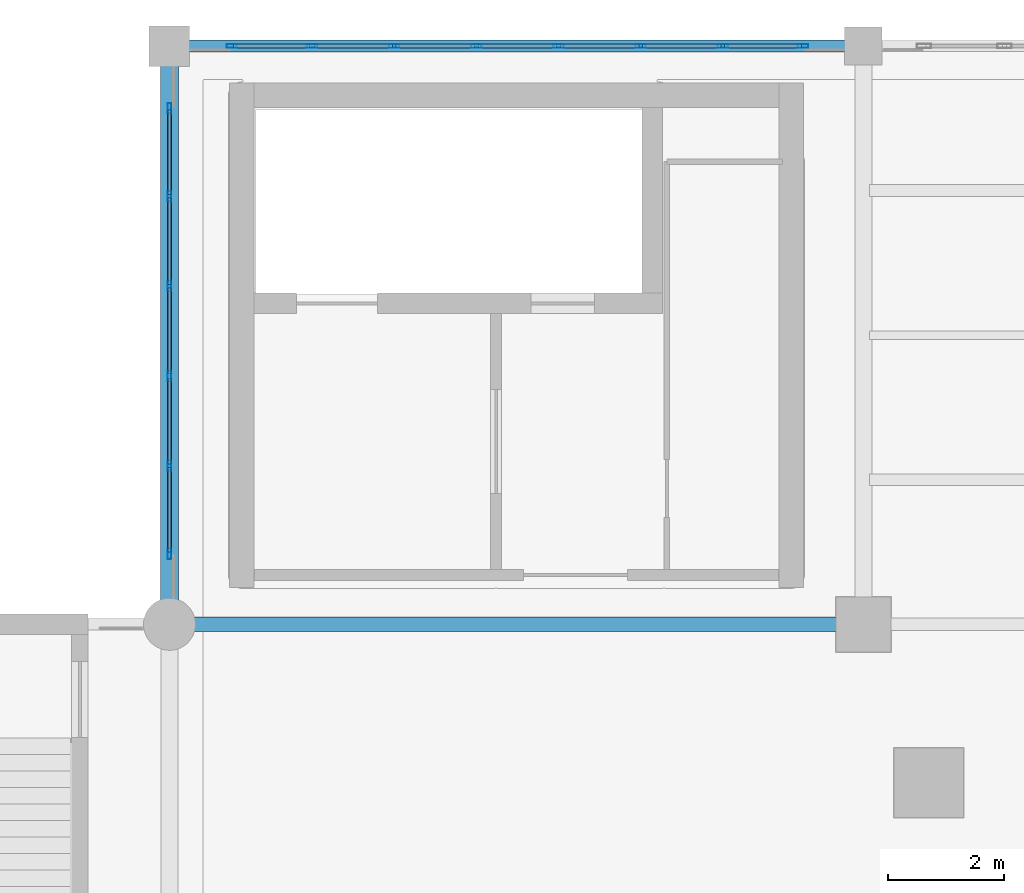
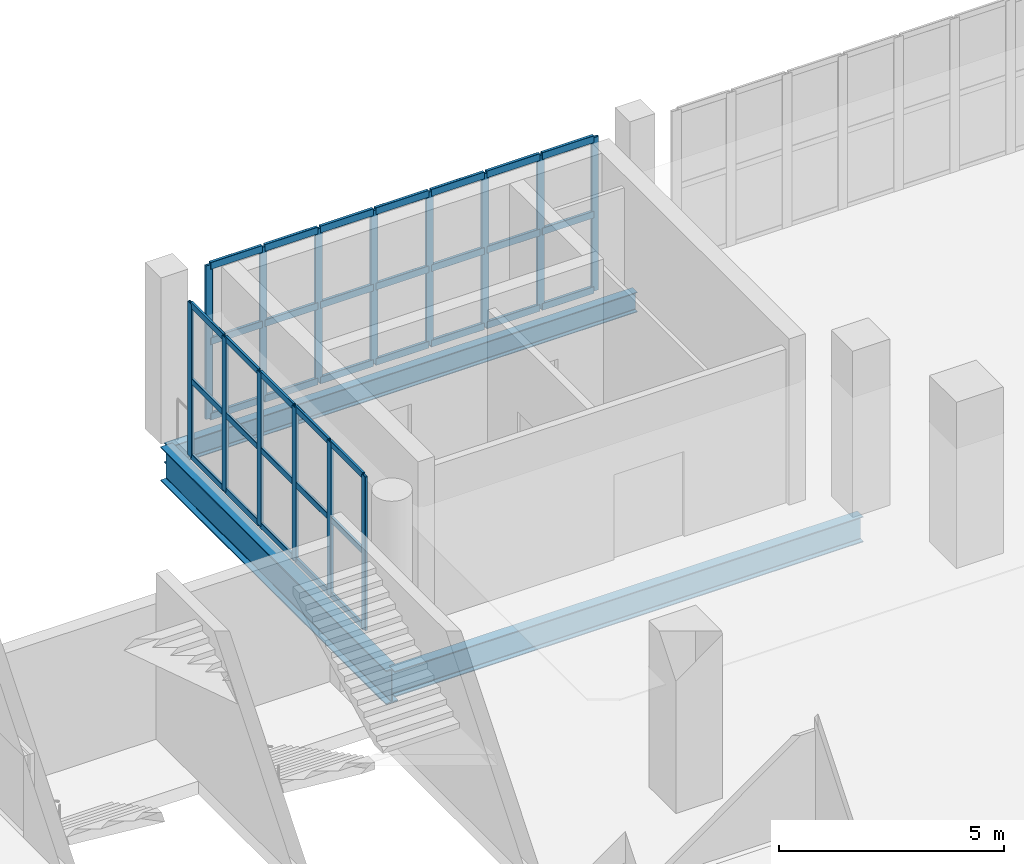
# One storey, part 28 of 90: 50 members, 3 beams, 2 elements without a shape of their own.
"""IFC4 building model written with IfcOpenShell, lengths in metres."""

import ifcopenshell
import ifcopenshell.guid

model = None  # the IFC model being written
_history = None  # IfcOwnerHistory: only IFC2X3 demands one
_inside = {}  # id of a spatial element -> (the spatial element, [elements in it])
_under = {}  # id of a project, library or spatial element -> (it, [spatial elements below it])
_declared = {}  # id of a project -> (the project, [libraries it declares])
_typed = {}  # id of a type object -> (the type object, [elements of that type])
_made_of = {}  # id of a material, layer set ... -> (it, [elements and type objects made of it])


def new_model(schema):
    """Start an empty IFC model of exactly this schema.

    Asked for "IFC4X3", IfcOpenShell would pick the latest addendum, in which some entities
    have other attributes; the version numbers below select the first issue.
    IFC2X3 requires an IfcOwnerHistory on every rooted entity: one is made here for all.
    """
    global model, _history
    if schema == "IFC4X3":
        model = ifcopenshell.file(schema_version=(4, 3, 0, 0))
    else:
        model = ifcopenshell.file(schema=schema)
    _inside.clear()
    _under.clear()
    _declared.clear()
    _typed.clear()
    _made_of.clear()
    _history = None
    if model.schema == "IFC2X3":
        org = make("IfcOrganization", Name="unknown")
        user = make(
            "IfcPersonAndOrganization",
            ThePerson=make("IfcPerson", FamilyName="unknown"),
            TheOrganization=org,
        )
        app = make(
            "IfcApplication",
            ApplicationDeveloper=org,
            Version="unknown",
            ApplicationFullName="unknown",
            ApplicationIdentifier="unknown",
        )
        _history = make(
            "IfcOwnerHistory",
            OwningUser=user,
            OwningApplication=app,
            ChangeAction="ADDED",
            CreationDate=0,
        )
    return model


def make(cls, **values):
    """One entity of the class cls with the attributes given. An attribute that is None is left unset."""
    return model.create_entity(
        cls, **{name: value for name, value in values.items() if value is not None}
    )


def rooted(cls, **values):
    """An entity with a GlobalId (a new one), such as an element, a storey or a relation."""
    return make(cls, GlobalId=ifcopenshell.guid.new(), OwnerHistory=_history, **values)


def si_unit(unit_type, name, prefix=None):
    """IfcSIUnit, for example si_unit("LENGTHUNIT", "METRE", prefix="MILLI")."""
    return make("IfcSIUnit", UnitType=unit_type, Prefix=prefix, Name=name)


def assignment(units):
    """IfcUnitAssignment: the units of a project."""
    return None if units is None else make("IfcUnitAssignment", Units=units)


def point(xyz):
    """IfcCartesianPoint."""
    return None if xyz is None else make("IfcCartesianPoint", Coordinates=xyz)


def direction(xyz):
    """IfcDirection."""
    return None if xyz is None else make("IfcDirection", DirectionRatios=xyz)


def frame(location, z_axis=None, x_axis=None):
    """IfcAxis2Placement3D, a coordinate frame: its origin and axes. An axis left out is left unset."""
    return make(
        "IfcAxis2Placement3D",
        Location=point(location),
        Axis=direction(z_axis),
        RefDirection=direction(x_axis),
    )


def frame_2d(location, x_axis=None):
    """IfcAxis2Placement2D, a coordinate frame in the plane: its origin and x axis."""
    return make(
        "IfcAxis2Placement2D", Location=point(location), RefDirection=direction(x_axis)
    )


def origin():
    """The frame at (0, 0, 0) with its axes left unset."""
    return frame((0.0, 0.0, 0.0))


def origin_2d():
    """The frame at (0, 0) in the plane with its x axis left unset."""
    return frame_2d((0.0, 0.0))


def place(relative_to, where):
    """IfcLocalPlacement: puts the frame where relative to a parent placement (None: the world)."""
    return make(
        "IfcLocalPlacement", PlacementRelTo=relative_to, RelativePlacement=where
    )


def context(
    kind, dimensions, precision=None, world=None, true_north=None, identifier=None
):
    """IfcGeometricRepresentationContext, for example the 3D "Model" context."""
    return make(
        "IfcGeometricRepresentationContext",
        ContextIdentifier=identifier,
        ContextType=kind,
        CoordinateSpaceDimension=dimensions,
        Precision=precision,
        WorldCoordinateSystem=world,
        TrueNorth=true_north,
    )


def subcontext(parent, identifier, kind, view, scale=None):
    """IfcGeometricRepresentationSubContext, for example "Body" below "Model"."""
    return make(
        "IfcGeometricRepresentationSubContext",
        ContextIdentifier=identifier,
        ContextType=kind,
        ParentContext=parent,
        TargetScale=scale,
        TargetView=view,
    )


def project(units=None, contexts=None):
    """IfcProject with its units and contexts."""
    return rooted(
        "IfcProject",
        Name="project",
        RepresentationContexts=contexts,
        UnitsInContext=assignment(units),
    )


def spatial(cls, under=None, at=None, **own):
    """A site, building, storey or space (cls), placed at a placement, below another one or the project."""
    s = rooted(cls, ObjectPlacement=at, **own)
    if under is not None:
        _under.setdefault(under.id(), (under, []))[1].append(s)
    return s


def profile(cls, at=None, kind="AREA", **sizes):
    """A parametric profile (cls). Its sizes go by their IFC names, for example OverallWidth=200.0."""
    return make(cls, ProfileType=kind, Position=at, **sizes)


def hollow_rectangle(**sizes):
    """IfcRectangleHollowProfileDef."""
    return profile("IfcRectangleHollowProfileDef", **sizes)


def i_section(**sizes):
    """IfcIShapeProfileDef."""
    return profile("IfcIShapeProfileDef", **sizes)


def extrude(swept, where, along, depth):
    """IfcExtrudedAreaSolid: the profile swept, set in the frame where, extruded along a direction by depth."""
    return make(
        "IfcExtrudedAreaSolid",
        SweptArea=swept,
        Position=where,
        ExtrudedDirection=direction(along),
        Depth=depth,
    )


def shape(context_of_items, identifier, shape_type, items):
    """IfcShapeRepresentation: the items that make up one representation, for example the "Body"."""
    return make(
        "IfcShapeRepresentation",
        ContextOfItems=context_of_items,
        RepresentationIdentifier=identifier,
        RepresentationType=shape_type,
        Items=items,
    )


def material(Name=None, Category=None):
    """IfcMaterial."""
    return make("IfcMaterial", Name=Name, Category=Category)


def layer(
    of_material, thickness, ventilated=None, Name=None, Category=None, Priority=None
):
    """IfcMaterialLayer: one layer of a wall or slab, of a material (None: an air gap)."""
    return make(
        "IfcMaterialLayer",
        Material=of_material,
        LayerThickness=thickness,
        IsVentilated=ventilated,
        Name=Name,
        Category=Category,
        Priority=Priority,
    )


def layer_set(layers, Name=None):
    """IfcMaterialLayerSet."""
    return make("IfcMaterialLayerSet", MaterialLayers=layers, LayerSetName=Name)


def material_profile(
    of_material, cross_section, Name=None, Category=None, Priority=None
):
    """IfcMaterialProfile: a cross section and its material."""
    return make(
        "IfcMaterialProfile",
        Name=Name,
        Material=of_material,
        Profile=cross_section,
        Priority=Priority,
        Category=Category,
    )


def profile_set(profiles, Name=None, composite=None):
    """IfcMaterialProfileSet."""
    return make(
        "IfcMaterialProfileSet",
        Name=Name,
        MaterialProfiles=profiles,
        CompositeProfile=composite,
    )


def made_of(thing, what):
    """Note that an element or type object is made of a material, layer set ...; save() writes the relation."""
    if what is not None:
        _made_of.setdefault(what.id(), (what, []))[1].append(thing)
    return thing


def type_object(cls, material=None, **own):
    """A type object (cls), such as IfcWallType, which elements share."""
    return made_of(rooted(cls, **own), material)


def element(
    cls,
    number,
    at=None,
    inside=None,
    cuts=None,
    type_object=None,
    material=None,
    context=None,
    identifier="Body",
    shape_type=None,
    held_by="IfcProductDefinitionShape",
    body=None,
    shapes=None,
    **own,
):
    """One element of the class cls, such as IfcWall. Its Tag is "e" and its number.

    at: its placement. inside: the storey or other place that contains it. cuts: it is an
    opening in that element (IfcRelVoidsElement). A single representation is given by context,
    identifier, shape_type and body (its items); several are given by shapes. held_by: the class
    of the entity that holds the representations. save() writes the other relations.
    """
    e = rooted(cls, Tag="e%d" % number, ObjectPlacement=at, **own)
    if body is not None:
        shapes = [shape(context, identifier, shape_type, body)]
    if shapes is not None:
        e.Representation = make(held_by, Representations=shapes)
    if inside is not None:
        _inside.setdefault(inside.id(), (inside, []))[1].append(e)
    if cuts is not None:
        rooted(
            "IfcRelVoidsElement", RelatingBuildingElement=cuts, RelatedOpeningElement=e
        )
    if type_object is not None:
        _typed.setdefault(type_object.id(), (type_object, []))[1].append(e)
    return made_of(e, material)


def aggregate(whole, parts):
    """IfcRelAggregates: a whole, such as a stair, and the parts it consists of."""
    return rooted("IfcRelAggregates", RelatingObject=whole, RelatedObjects=parts)


def save(model, path):
    """Write the relations noted so far, then the file.

    IfcRelAggregates (storeys below a building ...), IfcRelContainedInSpatialStructure (elements
    in a storey), IfcRelDefinesByType, IfcRelAssociatesMaterial and IfcRelDeclares: one each for
    every whole, place, type object, material and project.
    """
    for whole, parts in _under.values():
        aggregate(whole, parts)
    for where, things in _inside.values():
        rooted(
            "IfcRelContainedInSpatialStructure",
            RelatedElements=things,
            RelatingStructure=where,
        )
    for kind, things in _typed.values():
        rooted("IfcRelDefinesByType", RelatedObjects=things, RelatingType=kind)
    for what, things in _made_of.values():
        rooted("IfcRelAssociatesMaterial", RelatedObjects=things, RelatingMaterial=what)
    for by, libraries in _declared.values():
        rooted("IfcRelDeclares", RelatingContext=by, RelatedDefinitions=libraries)
    model.write(path)


model = new_model("IFC4")

# Units and contexts
model_context = context("Model", 3, precision=1e-05, world=origin(), true_north=direction((0.0, 1.0)))
body_context = subcontext(model_context, "Body", "Model", "MODEL_VIEW")
ifc_project = project(units=[si_unit("LENGTHUNIT", "METRE"), si_unit("AREAUNIT", "SQUARE_METRE"), si_unit("VOLUMEUNIT", "CUBIC_METRE"), si_unit("PLANEANGLEUNIT", "RADIAN"), si_unit("MASSUNIT", "GRAM", prefix="KILO")], contexts=[model_context])

# Site, building, storey
site_placement = place(None, origin())
site = spatial("IfcSite", under=ifc_project, at=site_placement, CompositionType="ELEMENT")
building_placement = place(site_placement, origin())
building = spatial("IfcBuilding", under=site, at=building_placement, Name="Brinegate Civic Arena", CompositionType="ELEMENT")
storey_placement = place(building_placement, frame((0.0, 0.0, 14.699951171875)))
storey = spatial("IfcBuildingStorey", under=building, at=storey_placement, Name="L03", CompositionType="ELEMENT", Elevation=14.699951171875)

# Curtain wall, members
ifc_material_1 = material(Name="Marine grade aluminium", Category="aluminium")
ifc_layer = layer(ifc_material_1, 0.235107421875, Name="Marine grade aluminium")
ifc_layer_set = layer_set([ifc_layer], Name="Marine grade aluminium")
curtain_wall_type = type_object("IfcCurtainWallType", Name="CW-PORTAL-NORTH-01", PredefinedType="USERDEFINED", material=ifc_layer_set)
curtain_wall_1_placement = place(storey_placement, origin())
curtain_wall_1 = element("IfcCurtainWall", 1, at=curtain_wall_1_placement, inside=storey, type_object=curtain_wall_type, Name="Curtain Wall CWA-124", ObjectType="PORTAL CURTAIN WALL", PredefinedType="USERDEFINED")
ifc_material_profile_1 = material_profile(ifc_material_1, hollow_rectangle(XDim=0.06494140625, YDim=0.179931640625, WallThickness=0.0048828125, InnerFilletRadius=0.00390625, OuterFilletRadius=0.008056640625, at=origin_2d()), Name="MUL65X180")
ifc_profile_set_1 = profile_set([ifc_material_profile_1], Name="Marine grade aluminium")
member_type_1 = type_object("IfcMemberType", Name="CW-MULLION-65X180", PredefinedType="MULLION", material=ifc_profile_set_1)
member_1_placement = place(storey_placement, frame((85.077392578125, 124.0, 0.0), z_axis=(0.0, 0.0, 1.0), x_axis=(0.0, 1.0, 0.0)))
member_1 = element("IfcMember", 2, at=member_1_placement, type_object=member_type_1, Name="CWA-124 mullion 1", PredefinedType="MULLION", context=body_context, shape_type="SweptSolid", body=[
    extrude(hollow_rectangle(XDim=0.06494140625, YDim=0.179931640625, WallThickness=0.0048828125, InnerFilletRadius=0.00390625, OuterFilletRadius=0.008056640625, at=origin_2d()), origin(), (0.0, 0.0, 1.0), 4.16015625),
])
member_2_placement = place(storey_placement, frame((86.4658203125, 124.0, 0.0), z_axis=(0.0, 0.0, 1.0), x_axis=(0.0, 1.0, 0.0)))
member_2 = element("IfcMember", 3, at=member_2_placement, type_object=member_type_1, Name="CWA-124 mullion 2", PredefinedType="MULLION", context=body_context, shape_type="SweptSolid", body=[
    extrude(hollow_rectangle(XDim=0.06494140625, YDim=0.179931640625, WallThickness=0.0048828125, InnerFilletRadius=0.00390625, OuterFilletRadius=0.008056640625, at=origin_2d()), origin(), (0.0, 0.0, 1.0), 4.16015625),
])
member_3_placement = place(storey_placement, frame((87.886474609375, 124.0, 0.0), z_axis=(0.0, 0.0, 1.0), x_axis=(0.0, 1.0, 0.0)))
member_3 = element("IfcMember", 4, at=member_3_placement, type_object=member_type_1, Name="CWA-124 mullion 3", PredefinedType="MULLION", context=body_context, shape_type="SweptSolid", body=[
    extrude(hollow_rectangle(XDim=0.06494140625, YDim=0.179931640625, WallThickness=0.0048828125, InnerFilletRadius=0.00390625, OuterFilletRadius=0.008056640625, at=origin_2d()), origin(), (0.0, 0.0, 1.0), 4.16015625),
])
member_4_placement = place(storey_placement, frame((89.30712890625, 124.0, 0.0), z_axis=(0.0, 0.0, 1.0), x_axis=(0.0, 1.0, 0.0)))
member_4 = element("IfcMember", 5, at=member_4_placement, type_object=member_type_1, Name="CWA-124 mullion 4", PredefinedType="MULLION", context=body_context, shape_type="SweptSolid", body=[
    extrude(hollow_rectangle(XDim=0.06494140625, YDim=0.179931640625, WallThickness=0.0048828125, InnerFilletRadius=0.00390625, OuterFilletRadius=0.008056640625, at=origin_2d()), origin(), (0.0, 0.0, 1.0), 4.16015625),
])
member_5_placement = place(storey_placement, frame((90.727783203125, 124.0, 0.0), z_axis=(0.0, 0.0, 1.0), x_axis=(0.0, 1.0, 0.0)))
member_5 = element("IfcMember", 6, at=member_5_placement, type_object=member_type_1, Name="CWA-124 mullion 5", PredefinedType="MULLION", context=body_context, shape_type="SweptSolid", body=[
    extrude(hollow_rectangle(XDim=0.06494140625, YDim=0.179931640625, WallThickness=0.0048828125, InnerFilletRadius=0.00390625, OuterFilletRadius=0.008056640625, at=origin_2d()), origin(), (0.0, 0.0, 1.0), 4.16015625),
])
member_6_placement = place(storey_placement, frame((92.148681640625, 124.0, 0.0), z_axis=(0.0, 0.0, 1.0), x_axis=(0.0, 1.0, 0.0)))
member_6 = element("IfcMember", 7, at=member_6_placement, type_object=member_type_1, Name="CWA-124 mullion 6", PredefinedType="MULLION", context=body_context, shape_type="SweptSolid", body=[
    extrude(hollow_rectangle(XDim=0.06494140625, YDim=0.179931640625, WallThickness=0.0048828125, InnerFilletRadius=0.00390625, OuterFilletRadius=0.008056640625, at=origin_2d()), origin(), (0.0, 0.0, 1.0), 4.16015625),
])
member_7_placement = place(storey_placement, frame((93.5693359375, 124.0, 0.0), z_axis=(0.0, 0.0, 1.0), x_axis=(0.0, 1.0, 0.0)))
member_7 = element("IfcMember", 8, at=member_7_placement, type_object=member_type_1, Name="CWA-124 mullion 7", PredefinedType="MULLION", context=body_context, shape_type="SweptSolid", body=[
    extrude(hollow_rectangle(XDim=0.06494140625, YDim=0.179931640625, WallThickness=0.0048828125, InnerFilletRadius=0.00390625, OuterFilletRadius=0.008056640625, at=origin_2d()), origin(), (0.0, 0.0, 1.0), 4.16015625),
])
member_8_placement = place(storey_placement, frame((94.95751953125, 124.0, 0.0), z_axis=(0.0, 0.0, 1.0), x_axis=(0.0, 1.0, 0.0)))
member_8 = element("IfcMember", 9, at=member_8_placement, type_object=member_type_1, Name="CWA-124 mullion 8", PredefinedType="MULLION", context=body_context, shape_type="SweptSolid", body=[
    extrude(hollow_rectangle(XDim=0.06494140625, YDim=0.179931640625, WallThickness=0.0048828125, InnerFilletRadius=0.00390625, OuterFilletRadius=0.008056640625, at=origin_2d()), origin(), (0.0, 0.0, 1.0), 4.16015625),
])

curtain_wall_2_placement = place(storey_placement, origin())
curtain_wall_2 = element("IfcCurtainWall", 10, at=curtain_wall_2_placement, inside=storey, type_object=curtain_wall_type, Name="Curtain Wall CWA-128", ObjectType="PORTAL CURTAIN WALL", PredefinedType="USERDEFINED")
member_9_placement = place(storey_placement, frame((84.0, 115.218505859375, 0.0), z_axis=(0.0, 0.0, 1.0), x_axis=(-1.0, 0.0, 0.0)))
member_9 = element("IfcMember", 11, at=member_9_placement, type_object=member_type_1, Name="CWA-128 mullion 1", PredefinedType="MULLION", context=body_context, shape_type="SweptSolid", body=[
    extrude(hollow_rectangle(XDim=0.06494140625, YDim=0.179931640625, WallThickness=0.0048828125, InnerFilletRadius=0.00390625, OuterFilletRadius=0.008056640625, at=origin_2d()), origin(), (0.0, 0.0, 1.0), 4.16015625),
])
member_10_placement = place(storey_placement, frame((84.0, 116.73974609375, 0.0), z_axis=(0.0, 0.0, 1.0), x_axis=(-1.0, 0.0, 0.0)))
member_10 = element("IfcMember", 12, at=member_10_placement, type_object=member_type_1, Name="CWA-128 mullion 2", PredefinedType="MULLION", context=body_context, shape_type="SweptSolid", body=[
    extrude(hollow_rectangle(XDim=0.06494140625, YDim=0.179931640625, WallThickness=0.0048828125, InnerFilletRadius=0.00390625, OuterFilletRadius=0.008056640625, at=origin_2d()), origin(), (0.0, 0.0, 1.0), 4.16015625),
])
member_11_placement = place(storey_placement, frame((84.0, 118.293701171875, 0.0), z_axis=(0.0, 0.0, 1.0), x_axis=(-1.0, 0.0, 0.0)))
member_11 = element("IfcMember", 13, at=member_11_placement, type_object=member_type_1, Name="CWA-128 mullion 3", PredefinedType="MULLION", context=body_context, shape_type="SweptSolid", body=[
    extrude(hollow_rectangle(XDim=0.06494140625, YDim=0.179931640625, WallThickness=0.0048828125, InnerFilletRadius=0.00390625, OuterFilletRadius=0.008056640625, at=origin_2d()), origin(), (0.0, 0.0, 1.0), 4.16015625),
])
member_12_placement = place(storey_placement, frame((84.0, 119.847412109375, 0.0), z_axis=(0.0, 0.0, 1.0), x_axis=(-1.0, 0.0, 0.0)))
member_12 = element("IfcMember", 14, at=member_12_placement, type_object=member_type_1, Name="CWA-128 mullion 4", PredefinedType="MULLION", context=body_context, shape_type="SweptSolid", body=[
    extrude(hollow_rectangle(XDim=0.06494140625, YDim=0.179931640625, WallThickness=0.0048828125, InnerFilletRadius=0.00390625, OuterFilletRadius=0.008056640625, at=origin_2d()), origin(), (0.0, 0.0, 1.0), 4.16015625),
])
member_13_placement = place(storey_placement, frame((84.0, 121.401123046875, 0.0), z_axis=(0.0, 0.0, 1.0), x_axis=(-1.0, 0.0, 0.0)))
member_13 = element("IfcMember", 15, at=member_13_placement, type_object=member_type_1, Name="CWA-128 mullion 5", PredefinedType="MULLION", context=body_context, shape_type="SweptSolid", body=[
    extrude(hollow_rectangle(XDim=0.06494140625, YDim=0.179931640625, WallThickness=0.0048828125, InnerFilletRadius=0.00390625, OuterFilletRadius=0.008056640625, at=origin_2d()), origin(), (0.0, 0.0, 1.0), 4.16015625),
])
member_14_placement = place(storey_placement, frame((84.0, 122.922607421875, 0.0), z_axis=(0.0, 0.0, 1.0), x_axis=(-1.0, 0.0, 0.0)))
member_14 = element("IfcMember", 16, at=member_14_placement, type_object=member_type_1, Name="CWA-128 mullion 6", PredefinedType="MULLION", context=body_context, shape_type="SweptSolid", body=[
    extrude(hollow_rectangle(XDim=0.06494140625, YDim=0.179931640625, WallThickness=0.0048828125, InnerFilletRadius=0.00390625, OuterFilletRadius=0.008056640625, at=origin_2d()), origin(), (0.0, 0.0, 1.0), 4.16015625),
])
ifc_material_profile_2 = material_profile(ifc_material_1, hollow_rectangle(XDim=0.06494140625, YDim=0.1650390625, WallThickness=0.0048828125, InnerFilletRadius=0.00390625, OuterFilletRadius=0.008056640625, at=origin_2d()), Name="TRN65X165")
ifc_profile_set_2 = profile_set([ifc_material_profile_2], Name="Marine grade aluminium")
member_type_2 = type_object("IfcMemberType", Name="CW-TRANSOM-65X165", PredefinedType="USERDEFINED", material=ifc_profile_set_2)
member_15_placement = place(storey_placement, frame((84.0, 115.2509765625, 0.032470703125), z_axis=(0.0, 1.0, 0.0), x_axis=(-1.0, 0.0, 0.0)))
member_15 = element("IfcMember", 17, at=member_15_placement, type_object=member_type_2, Name="CWA-128 transom 1.1", ObjectType="TRANSOM", PredefinedType="USERDEFINED", context=body_context, shape_type="SweptSolid", body=[
    extrude(hollow_rectangle(XDim=0.06494140625, YDim=0.1650390625, WallThickness=0.0048828125, InnerFilletRadius=0.00390625, OuterFilletRadius=0.008056640625, at=origin_2d()), origin(), (0.0, 0.0, 1.0), 1.456298828125),
])
member_16_placement = place(storey_placement, frame((84.0, 115.2509765625, 2.080078125), z_axis=(0.0, 1.0, 0.0), x_axis=(-1.0, 0.0, 0.0)))
member_16 = element("IfcMember", 18, at=member_16_placement, type_object=member_type_2, Name="CWA-128 transom 1.2", ObjectType="TRANSOM", PredefinedType="USERDEFINED", context=body_context, shape_type="SweptSolid", body=[
    extrude(hollow_rectangle(XDim=0.06494140625, YDim=0.1650390625, WallThickness=0.0048828125, InnerFilletRadius=0.00390625, OuterFilletRadius=0.008056640625, at=origin_2d()), origin(), (0.0, 0.0, 1.0), 1.456298828125),
])
member_17_placement = place(storey_placement, frame((84.0, 115.2509765625, 4.12744140625), z_axis=(0.0, 1.0, 0.0), x_axis=(-1.0, 0.0, 0.0)))
member_17 = element("IfcMember", 19, at=member_17_placement, type_object=member_type_2, Name="CWA-128 transom 1.3", ObjectType="TRANSOM", PredefinedType="USERDEFINED", context=body_context, shape_type="SweptSolid", body=[
    extrude(hollow_rectangle(XDim=0.06494140625, YDim=0.1650390625, WallThickness=0.0048828125, InnerFilletRadius=0.00390625, OuterFilletRadius=0.008056640625, at=origin_2d()), origin(), (0.0, 0.0, 1.0), 1.456298828125),
])
member_18_placement = place(storey_placement, frame((84.0, 116.772216796875, 0.032470703125), z_axis=(0.0, 1.0, 0.0), x_axis=(-1.0, 0.0, 0.0)))
member_18 = element("IfcMember", 20, at=member_18_placement, type_object=member_type_2, Name="CWA-128 transom 2.1", ObjectType="TRANSOM", PredefinedType="USERDEFINED", context=body_context, shape_type="SweptSolid", body=[
    extrude(hollow_rectangle(XDim=0.06494140625, YDim=0.1650390625, WallThickness=0.0048828125, InnerFilletRadius=0.00390625, OuterFilletRadius=0.008056640625, at=origin_2d()), origin(), (0.0, 0.0, 1.0), 1.48876953125),
])
member_19_placement = place(storey_placement, frame((84.0, 116.772216796875, 2.080078125), z_axis=(0.0, 1.0, 0.0), x_axis=(-1.0, 0.0, 0.0)))
member_19 = element("IfcMember", 21, at=member_19_placement, type_object=member_type_2, Name="CWA-128 transom 2.2", ObjectType="TRANSOM", PredefinedType="USERDEFINED", context=body_context, shape_type="SweptSolid", body=[
    extrude(hollow_rectangle(XDim=0.06494140625, YDim=0.1650390625, WallThickness=0.0048828125, InnerFilletRadius=0.00390625, OuterFilletRadius=0.008056640625, at=origin_2d()), origin(), (0.0, 0.0, 1.0), 1.48876953125),
])
member_20_placement = place(storey_placement, frame((84.0, 116.772216796875, 4.12744140625), z_axis=(0.0, 1.0, 0.0), x_axis=(-1.0, 0.0, 0.0)))
member_20 = element("IfcMember", 22, at=member_20_placement, type_object=member_type_2, Name="CWA-128 transom 2.3", ObjectType="TRANSOM", PredefinedType="USERDEFINED", context=body_context, shape_type="SweptSolid", body=[
    extrude(hollow_rectangle(XDim=0.06494140625, YDim=0.1650390625, WallThickness=0.0048828125, InnerFilletRadius=0.00390625, OuterFilletRadius=0.008056640625, at=origin_2d()), origin(), (0.0, 0.0, 1.0), 1.48876953125),
])
member_21_placement = place(storey_placement, frame((84.0, 118.326171875, 0.032470703125), z_axis=(0.0, 1.0, 0.0), x_axis=(-1.0, 0.0, 0.0)))
member_21 = element("IfcMember", 23, at=member_21_placement, type_object=member_type_2, Name="CWA-128 transom 3.1", ObjectType="TRANSOM", PredefinedType="USERDEFINED", context=body_context, shape_type="SweptSolid", body=[
    extrude(hollow_rectangle(XDim=0.06494140625, YDim=0.1650390625, WallThickness=0.0048828125, InnerFilletRadius=0.00390625, OuterFilletRadius=0.008056640625, at=origin_2d()), origin(), (0.0, 0.0, 1.0), 1.48876953125),
])
member_22_placement = place(storey_placement, frame((84.0, 118.326171875, 2.080078125), z_axis=(0.0, 1.0, 0.0), x_axis=(-1.0, 0.0, 0.0)))
member_22 = element("IfcMember", 24, at=member_22_placement, type_object=member_type_2, Name="CWA-128 transom 3.2", ObjectType="TRANSOM", PredefinedType="USERDEFINED", context=body_context, shape_type="SweptSolid", body=[
    extrude(hollow_rectangle(XDim=0.06494140625, YDim=0.1650390625, WallThickness=0.0048828125, InnerFilletRadius=0.00390625, OuterFilletRadius=0.008056640625, at=origin_2d()), origin(), (0.0, 0.0, 1.0), 1.48876953125),
])
member_23_placement = place(storey_placement, frame((84.0, 118.326171875, 4.12744140625), z_axis=(0.0, 1.0, 0.0), x_axis=(-1.0, 0.0, 0.0)))
member_23 = element("IfcMember", 25, at=member_23_placement, type_object=member_type_2, Name="CWA-128 transom 3.3", ObjectType="TRANSOM", PredefinedType="USERDEFINED", context=body_context, shape_type="SweptSolid", body=[
    extrude(hollow_rectangle(XDim=0.06494140625, YDim=0.1650390625, WallThickness=0.0048828125, InnerFilletRadius=0.00390625, OuterFilletRadius=0.008056640625, at=origin_2d()), origin(), (0.0, 0.0, 1.0), 1.48876953125),
])
member_24_placement = place(storey_placement, frame((84.0, 119.8798828125, 0.032470703125), z_axis=(0.0, 1.0, 0.0), x_axis=(-1.0, 0.0, 0.0)))
member_24 = element("IfcMember", 26, at=member_24_placement, type_object=member_type_2, Name="CWA-128 transom 4.1", ObjectType="TRANSOM", PredefinedType="USERDEFINED", context=body_context, shape_type="SweptSolid", body=[
    extrude(hollow_rectangle(XDim=0.06494140625, YDim=0.1650390625, WallThickness=0.0048828125, InnerFilletRadius=0.00390625, OuterFilletRadius=0.008056640625, at=origin_2d()), origin(), (0.0, 0.0, 1.0), 1.48876953125),
])
member_25_placement = place(storey_placement, frame((84.0, 119.8798828125, 2.080078125), z_axis=(0.0, 1.0, 0.0), x_axis=(-1.0, 0.0, 0.0)))
member_25 = element("IfcMember", 27, at=member_25_placement, type_object=member_type_2, Name="CWA-128 transom 4.2", ObjectType="TRANSOM", PredefinedType="USERDEFINED", context=body_context, shape_type="SweptSolid", body=[
    extrude(hollow_rectangle(XDim=0.06494140625, YDim=0.1650390625, WallThickness=0.0048828125, InnerFilletRadius=0.00390625, OuterFilletRadius=0.008056640625, at=origin_2d()), origin(), (0.0, 0.0, 1.0), 1.48876953125),
])
member_26_placement = place(storey_placement, frame((84.0, 119.8798828125, 4.12744140625), z_axis=(0.0, 1.0, 0.0), x_axis=(-1.0, 0.0, 0.0)))
member_26 = element("IfcMember", 28, at=member_26_placement, type_object=member_type_2, Name="CWA-128 transom 4.3", ObjectType="TRANSOM", PredefinedType="USERDEFINED", context=body_context, shape_type="SweptSolid", body=[
    extrude(hollow_rectangle(XDim=0.06494140625, YDim=0.1650390625, WallThickness=0.0048828125, InnerFilletRadius=0.00390625, OuterFilletRadius=0.008056640625, at=origin_2d()), origin(), (0.0, 0.0, 1.0), 1.48876953125),
])
member_27_placement = place(storey_placement, frame((84.0, 121.43359375, 0.032470703125), z_axis=(0.0, 1.0, 0.0), x_axis=(-1.0, 0.0, 0.0)))
member_27 = element("IfcMember", 29, at=member_27_placement, type_object=member_type_2, Name="CWA-128 transom 5.1", ObjectType="TRANSOM", PredefinedType="USERDEFINED", context=body_context, shape_type="SweptSolid", body=[
    extrude(hollow_rectangle(XDim=0.06494140625, YDim=0.1650390625, WallThickness=0.0048828125, InnerFilletRadius=0.00390625, OuterFilletRadius=0.008056640625, at=origin_2d()), origin(), (0.0, 0.0, 1.0), 1.456298828125),
])
member_28_placement = place(storey_placement, frame((84.0, 121.43359375, 2.080078125), z_axis=(0.0, 1.0, 0.0), x_axis=(-1.0, 0.0, 0.0)))
member_28 = element("IfcMember", 30, at=member_28_placement, type_object=member_type_2, Name="CWA-128 transom 5.2", ObjectType="TRANSOM", PredefinedType="USERDEFINED", context=body_context, shape_type="SweptSolid", body=[
    extrude(hollow_rectangle(XDim=0.06494140625, YDim=0.1650390625, WallThickness=0.0048828125, InnerFilletRadius=0.00390625, OuterFilletRadius=0.008056640625, at=origin_2d()), origin(), (0.0, 0.0, 1.0), 1.456298828125),
])
member_29_placement = place(storey_placement, frame((84.0, 121.43359375, 4.12744140625), z_axis=(0.0, 1.0, 0.0), x_axis=(-1.0, 0.0, 0.0)))
member_29 = element("IfcMember", 31, at=member_29_placement, type_object=member_type_2, Name="CWA-128 transom 5.3", ObjectType="TRANSOM", PredefinedType="USERDEFINED", context=body_context, shape_type="SweptSolid", body=[
    extrude(hollow_rectangle(XDim=0.06494140625, YDim=0.1650390625, WallThickness=0.0048828125, InnerFilletRadius=0.00390625, OuterFilletRadius=0.008056640625, at=origin_2d()), origin(), (0.0, 0.0, 1.0), 1.456298828125),
])
aggregate(curtain_wall_2, [member_9, member_10, member_11, member_12, member_13, member_14, member_15, member_16, member_17, member_18, member_19, member_20, member_21, member_22, member_23, member_24, member_25, member_26, member_27, member_28, member_29])

# Member
ifc_material_profile_3 = material_profile(ifc_material_1, hollow_rectangle(XDim=0.074951171875, YDim=0.18994140625, WallThickness=0.006103515625, InnerFilletRadius=0.00390625, OuterFilletRadius=0.008056640625, at=origin_2d()), Name="TRN75X190")
ifc_profile_set_3 = profile_set([ifc_material_profile_3], Name="Marine grade aluminium")
member_type_3 = type_object("IfcMemberType", Name="CW-TRANSOM-75X190", PredefinedType="USERDEFINED", material=ifc_profile_set_3)
member_30_placement = place(storey_placement, frame((85.110107421875, 124.0, 0.03759765625), z_axis=(1.0, 0.0, 0.0), x_axis=(0.0, 1.0, 0.0)))
member_30 = element("IfcMember", 32, at=member_30_placement, type_object=member_type_3, Name="CWA-124 transom 1.1", ObjectType="TRANSOM", PredefinedType="USERDEFINED", context=body_context, shape_type="SweptSolid", body=[
    extrude(hollow_rectangle(XDim=0.074951171875, YDim=0.18994140625, WallThickness=0.006103515625, InnerFilletRadius=0.00390625, OuterFilletRadius=0.008056640625, at=origin_2d()), origin(), (0.0, 0.0, 1.0), 1.322998046875),
])

member_31_placement = place(storey_placement, frame((85.110107421875, 124.0, 2.080078125), z_axis=(1.0, 0.0, 0.0), x_axis=(0.0, 1.0, 0.0)))
member_31 = element("IfcMember", 33, at=member_31_placement, type_object=member_type_3, Name="CWA-124 transom 1.2", ObjectType="TRANSOM", PredefinedType="USERDEFINED", context=body_context, shape_type="SweptSolid", body=[
    extrude(hollow_rectangle(XDim=0.074951171875, YDim=0.18994140625, WallThickness=0.006103515625, InnerFilletRadius=0.00390625, OuterFilletRadius=0.008056640625, at=origin_2d()), origin(), (0.0, 0.0, 1.0), 1.322998046875),
])

member_32_placement = place(storey_placement, frame((85.110107421875, 124.0, 4.12255859375), z_axis=(1.0, 0.0, 0.0), x_axis=(0.0, 1.0, 0.0)))
member_32 = element("IfcMember", 34, at=member_32_placement, type_object=member_type_3, Name="CWA-124 transom 1.3", ObjectType="TRANSOM", PredefinedType="USERDEFINED", context=body_context, shape_type="SweptSolid", body=[
    extrude(hollow_rectangle(XDim=0.074951171875, YDim=0.18994140625, WallThickness=0.006103515625, InnerFilletRadius=0.00390625, OuterFilletRadius=0.008056640625, at=origin_2d()), origin(), (0.0, 0.0, 1.0), 1.322998046875),
])

member_33_placement = place(storey_placement, frame((86.498291015625, 124.0, 0.03759765625), z_axis=(1.0, 0.0, 0.0), x_axis=(0.0, 1.0, 0.0)))
member_33 = element("IfcMember", 35, at=member_33_placement, type_object=member_type_3, Name="CWA-124 transom 2.1", ObjectType="TRANSOM", PredefinedType="USERDEFINED", context=body_context, shape_type="SweptSolid", body=[
    extrude(hollow_rectangle(XDim=0.074951171875, YDim=0.18994140625, WallThickness=0.006103515625, InnerFilletRadius=0.00390625, OuterFilletRadius=0.008056640625, at=origin_2d()), origin(), (0.0, 0.0, 1.0), 1.355712890625),
])

member_34_placement = place(storey_placement, frame((86.498291015625, 124.0, 2.080078125), z_axis=(1.0, 0.0, 0.0), x_axis=(0.0, 1.0, 0.0)))
member_34 = element("IfcMember", 36, at=member_34_placement, type_object=member_type_3, Name="CWA-124 transom 2.2", ObjectType="TRANSOM", PredefinedType="USERDEFINED", context=body_context, shape_type="SweptSolid", body=[
    extrude(hollow_rectangle(XDim=0.074951171875, YDim=0.18994140625, WallThickness=0.006103515625, InnerFilletRadius=0.00390625, OuterFilletRadius=0.008056640625, at=origin_2d()), origin(), (0.0, 0.0, 1.0), 1.355712890625),
])

member_35_placement = place(storey_placement, frame((86.498291015625, 124.0, 4.12255859375), z_axis=(1.0, 0.0, 0.0), x_axis=(0.0, 1.0, 0.0)))
member_35 = element("IfcMember", 37, at=member_35_placement, type_object=member_type_3, Name="CWA-124 transom 2.3", ObjectType="TRANSOM", PredefinedType="USERDEFINED", context=body_context, shape_type="SweptSolid", body=[
    extrude(hollow_rectangle(XDim=0.074951171875, YDim=0.18994140625, WallThickness=0.006103515625, InnerFilletRadius=0.00390625, OuterFilletRadius=0.008056640625, at=origin_2d()), origin(), (0.0, 0.0, 1.0), 1.355712890625),
])

member_36_placement = place(storey_placement, frame((87.9189453125, 124.0, 0.03759765625), z_axis=(1.0, 0.0, 0.0), x_axis=(0.0, 1.0, 0.0)))
member_36 = element("IfcMember", 38, at=member_36_placement, type_object=member_type_3, Name="CWA-124 transom 3.1", ObjectType="TRANSOM", PredefinedType="USERDEFINED", context=body_context, shape_type="SweptSolid", body=[
    extrude(hollow_rectangle(XDim=0.074951171875, YDim=0.18994140625, WallThickness=0.006103515625, InnerFilletRadius=0.00390625, OuterFilletRadius=0.008056640625, at=origin_2d()), origin(), (0.0, 0.0, 1.0), 1.355712890625),
])

member_37_placement = place(storey_placement, frame((87.9189453125, 124.0, 2.080078125), z_axis=(1.0, 0.0, 0.0), x_axis=(0.0, 1.0, 0.0)))
member_37 = element("IfcMember", 39, at=member_37_placement, type_object=member_type_3, Name="CWA-124 transom 3.2", ObjectType="TRANSOM", PredefinedType="USERDEFINED", context=body_context, shape_type="SweptSolid", body=[
    extrude(hollow_rectangle(XDim=0.074951171875, YDim=0.18994140625, WallThickness=0.006103515625, InnerFilletRadius=0.00390625, OuterFilletRadius=0.008056640625, at=origin_2d()), origin(), (0.0, 0.0, 1.0), 1.355712890625),
])

member_38_placement = place(storey_placement, frame((87.9189453125, 124.0, 4.12255859375), z_axis=(1.0, 0.0, 0.0), x_axis=(0.0, 1.0, 0.0)))
member_38 = element("IfcMember", 40, at=member_38_placement, type_object=member_type_3, Name="CWA-124 transom 3.3", ObjectType="TRANSOM", PredefinedType="USERDEFINED", context=body_context, shape_type="SweptSolid", body=[
    extrude(hollow_rectangle(XDim=0.074951171875, YDim=0.18994140625, WallThickness=0.006103515625, InnerFilletRadius=0.00390625, OuterFilletRadius=0.008056640625, at=origin_2d()), origin(), (0.0, 0.0, 1.0), 1.355712890625),
])

member_39_placement = place(storey_placement, frame((89.339599609375, 124.0, 0.03759765625), z_axis=(1.0, 0.0, 0.0), x_axis=(0.0, 1.0, 0.0)))
member_39 = element("IfcMember", 41, at=member_39_placement, type_object=member_type_3, Name="CWA-124 transom 4.1", ObjectType="TRANSOM", PredefinedType="USERDEFINED", context=body_context, shape_type="SweptSolid", body=[
    extrude(hollow_rectangle(XDim=0.074951171875, YDim=0.18994140625, WallThickness=0.006103515625, InnerFilletRadius=0.00390625, OuterFilletRadius=0.008056640625, at=origin_2d()), origin(), (0.0, 0.0, 1.0), 1.355712890625),
])

member_40_placement = place(storey_placement, frame((89.339599609375, 124.0, 2.080078125), z_axis=(1.0, 0.0, 0.0), x_axis=(0.0, 1.0, 0.0)))
member_40 = element("IfcMember", 42, at=member_40_placement, type_object=member_type_3, Name="CWA-124 transom 4.2", ObjectType="TRANSOM", PredefinedType="USERDEFINED", context=body_context, shape_type="SweptSolid", body=[
    extrude(hollow_rectangle(XDim=0.074951171875, YDim=0.18994140625, WallThickness=0.006103515625, InnerFilletRadius=0.00390625, OuterFilletRadius=0.008056640625, at=origin_2d()), origin(), (0.0, 0.0, 1.0), 1.355712890625),
])

member_41_placement = place(storey_placement, frame((89.339599609375, 124.0, 4.12255859375), z_axis=(1.0, 0.0, 0.0), x_axis=(0.0, 1.0, 0.0)))
member_41 = element("IfcMember", 43, at=member_41_placement, type_object=member_type_3, Name="CWA-124 transom 4.3", ObjectType="TRANSOM", PredefinedType="USERDEFINED", context=body_context, shape_type="SweptSolid", body=[
    extrude(hollow_rectangle(XDim=0.074951171875, YDim=0.18994140625, WallThickness=0.006103515625, InnerFilletRadius=0.00390625, OuterFilletRadius=0.008056640625, at=origin_2d()), origin(), (0.0, 0.0, 1.0), 1.355712890625),
])

member_42_placement = place(storey_placement, frame((90.76025390625, 124.0, 0.03759765625), z_axis=(1.0, 0.0, 0.0), x_axis=(0.0, 1.0, 0.0)))
member_42 = element("IfcMember", 44, at=member_42_placement, type_object=member_type_3, Name="CWA-124 transom 5.1", ObjectType="TRANSOM", PredefinedType="USERDEFINED", context=body_context, shape_type="SweptSolid", body=[
    extrude(hollow_rectangle(XDim=0.074951171875, YDim=0.18994140625, WallThickness=0.006103515625, InnerFilletRadius=0.00390625, OuterFilletRadius=0.008056640625, at=origin_2d()), origin(), (0.0, 0.0, 1.0), 1.355712890625),
])

member_43_placement = place(storey_placement, frame((90.76025390625, 124.0, 2.080078125), z_axis=(1.0, 0.0, 0.0), x_axis=(0.0, 1.0, 0.0)))
member_43 = element("IfcMember", 45, at=member_43_placement, type_object=member_type_3, Name="CWA-124 transom 5.2", ObjectType="TRANSOM", PredefinedType="USERDEFINED", context=body_context, shape_type="SweptSolid", body=[
    extrude(hollow_rectangle(XDim=0.074951171875, YDim=0.18994140625, WallThickness=0.006103515625, InnerFilletRadius=0.00390625, OuterFilletRadius=0.008056640625, at=origin_2d()), origin(), (0.0, 0.0, 1.0), 1.355712890625),
])

member_44_placement = place(storey_placement, frame((90.76025390625, 124.0, 4.12255859375), z_axis=(1.0, 0.0, 0.0), x_axis=(0.0, 1.0, 0.0)))
member_44 = element("IfcMember", 46, at=member_44_placement, type_object=member_type_3, Name="CWA-124 transom 5.3", ObjectType="TRANSOM", PredefinedType="USERDEFINED", context=body_context, shape_type="SweptSolid", body=[
    extrude(hollow_rectangle(XDim=0.074951171875, YDim=0.18994140625, WallThickness=0.006103515625, InnerFilletRadius=0.00390625, OuterFilletRadius=0.008056640625, at=origin_2d()), origin(), (0.0, 0.0, 1.0), 1.355712890625),
])

member_45_placement = place(storey_placement, frame((92.18115234375, 124.0, 0.03759765625), z_axis=(1.0, 0.0, 0.0), x_axis=(0.0, 1.0, 0.0)))
member_45 = element("IfcMember", 47, at=member_45_placement, type_object=member_type_3, Name="CWA-124 transom 6.1", ObjectType="TRANSOM", PredefinedType="USERDEFINED", context=body_context, shape_type="SweptSolid", body=[
    extrude(hollow_rectangle(XDim=0.074951171875, YDim=0.18994140625, WallThickness=0.006103515625, InnerFilletRadius=0.00390625, OuterFilletRadius=0.008056640625, at=origin_2d()), origin(), (0.0, 0.0, 1.0), 1.355712890625),
])

member_46_placement = place(storey_placement, frame((92.18115234375, 124.0, 2.080078125), z_axis=(1.0, 0.0, 0.0), x_axis=(0.0, 1.0, 0.0)))
member_46 = element("IfcMember", 48, at=member_46_placement, type_object=member_type_3, Name="CWA-124 transom 6.2", ObjectType="TRANSOM", PredefinedType="USERDEFINED", context=body_context, shape_type="SweptSolid", body=[
    extrude(hollow_rectangle(XDim=0.074951171875, YDim=0.18994140625, WallThickness=0.006103515625, InnerFilletRadius=0.00390625, OuterFilletRadius=0.008056640625, at=origin_2d()), origin(), (0.0, 0.0, 1.0), 1.355712890625),
])

member_47_placement = place(storey_placement, frame((92.18115234375, 124.0, 4.12255859375), z_axis=(1.0, 0.0, 0.0), x_axis=(0.0, 1.0, 0.0)))
member_47 = element("IfcMember", 49, at=member_47_placement, type_object=member_type_3, Name="CWA-124 transom 6.3", ObjectType="TRANSOM", PredefinedType="USERDEFINED", context=body_context, shape_type="SweptSolid", body=[
    extrude(hollow_rectangle(XDim=0.074951171875, YDim=0.18994140625, WallThickness=0.006103515625, InnerFilletRadius=0.00390625, OuterFilletRadius=0.008056640625, at=origin_2d()), origin(), (0.0, 0.0, 1.0), 1.355712890625),
])

member_48_placement = place(storey_placement, frame((93.601806640625, 124.0, 0.03759765625), z_axis=(1.0, 0.0, 0.0), x_axis=(0.0, 1.0, 0.0)))
member_48 = element("IfcMember", 50, at=member_48_placement, type_object=member_type_3, Name="CWA-124 transom 7.1", ObjectType="TRANSOM", PredefinedType="USERDEFINED", context=body_context, shape_type="SweptSolid", body=[
    extrude(hollow_rectangle(XDim=0.074951171875, YDim=0.18994140625, WallThickness=0.006103515625, InnerFilletRadius=0.00390625, OuterFilletRadius=0.008056640625, at=origin_2d()), origin(), (0.0, 0.0, 1.0), 1.3232421875),
])

member_49_placement = place(storey_placement, frame((93.601806640625, 124.0, 2.080078125), z_axis=(1.0, 0.0, 0.0), x_axis=(0.0, 1.0, 0.0)))
member_49 = element("IfcMember", 51, at=member_49_placement, type_object=member_type_3, Name="CWA-124 transom 7.2", ObjectType="TRANSOM", PredefinedType="USERDEFINED", context=body_context, shape_type="SweptSolid", body=[
    extrude(hollow_rectangle(XDim=0.074951171875, YDim=0.18994140625, WallThickness=0.006103515625, InnerFilletRadius=0.00390625, OuterFilletRadius=0.008056640625, at=origin_2d()), origin(), (0.0, 0.0, 1.0), 1.3232421875),
])

member_50_placement = place(storey_placement, frame((93.601806640625, 124.0, 4.12255859375), z_axis=(1.0, 0.0, 0.0), x_axis=(0.0, 1.0, 0.0)))
member_50 = element("IfcMember", 52, at=member_50_placement, type_object=member_type_3, Name="CWA-124 transom 7.3", ObjectType="TRANSOM", PredefinedType="USERDEFINED", context=body_context, shape_type="SweptSolid", body=[
    extrude(hollow_rectangle(XDim=0.074951171875, YDim=0.18994140625, WallThickness=0.006103515625, InnerFilletRadius=0.00390625, OuterFilletRadius=0.008056640625, at=origin_2d()), origin(), (0.0, 0.0, 1.0), 1.3232421875),
])

aggregate(curtain_wall_1, [member_1, member_2, member_3, member_4, member_5, member_6, member_7, member_8, member_30, member_31, member_32, member_33, member_34, member_35, member_36, member_37, member_38, member_39, member_40, member_41, member_42, member_43, member_44, member_45, member_46, member_47, member_48, member_49, member_50])

# Beams
ifc_material_2 = material(Name="Steel S355", Category="steel")
ifc_material_profile_4 = material_profile(ifc_material_2, i_section(OverallWidth=0.30810546875, OverallDepth=0.927001953125, WebThickness=0.01904296875, FlangeThickness=0.031982421875, FilletRadius=0.02392578125, at=origin_2d()), Name="W920X289")
ifc_profile_set_4 = profile_set([ifc_material_profile_4], Name="Steel S355")
beam_type_1 = type_object("IfcBeamType", Name="GIRDER-W920X289", PredefinedType="BEAM", material=ifc_profile_set_4)
beam_1_placement = place(storey_placement, frame((84.0, 114.0, -0.81298828125), z_axis=(0.0, 1.0, 0.0), x_axis=(-1.0, 0.0, 0.0)))
element("IfcBeam", 53, at=beam_1_placement, inside=storey, type_object=beam_type_1, Name="Floor Girder BM-L03-GY-07-11", PredefinedType="BEAM", context=body_context, shape_type="SweptSolid", body=[
    extrude(i_section(OverallWidth=0.30810546875, OverallDepth=0.927001953125, WebThickness=0.01904296875, FlangeThickness=0.031982421875, FilletRadius=0.02392578125, at=origin_2d()), origin(), (0.0, 0.0, 1.0), 10.0),
])
ifc_material_profile_5 = material_profile(ifc_material_2, i_section(OverallWidth=0.2119140625, OverallDepth=0.5439453125, WebThickness=0.012939453125, FlangeThickness=0.02099609375, FilletRadius=0.01611328125, at=origin_2d()), Name="W530X123")
ifc_profile_set_5 = profile_set([ifc_material_profile_5], Name="Steel S355")
beam_type_2 = type_object("IfcBeamType", Name="SPANDREL-W530X123", PredefinedType="SPANDREL", material=ifc_profile_set_5)
beam_2_placement = place(storey_placement, frame((84.0, 124.0, -0.6220703125), z_axis=(1.0, 0.0, 0.0), x_axis=(0.0, 1.0, 0.0)))
element("IfcBeam", 54, at=beam_2_placement, inside=storey, type_object=beam_type_2, Name="Floor Girder BM-L03-GX-07-12", PredefinedType="SPANDREL", context=body_context, shape_type="SweptSolid", body=[
    extrude(i_section(OverallWidth=0.2119140625, OverallDepth=0.5439453125, WebThickness=0.012939453125, FlangeThickness=0.02099609375, FilletRadius=0.01611328125, at=origin_2d()), origin(), (0.0, 0.0, 1.0), 12.0),
])
ifc_material_profile_6 = material_profile(ifc_material_2, i_section(OverallWidth=0.256103515625, OverallDepth=0.693115234375, WebThickness=0.014892578125, FlangeThickness=0.02392578125, FilletRadius=0.01806640625, at=origin_2d()), Name="W690X170")
ifc_profile_set_6 = profile_set([ifc_material_profile_6], Name="Steel S355")
beam_type_3 = type_object("IfcBeamType", Name="SPANDREL-W690X170", PredefinedType="SPANDREL", material=ifc_profile_set_6)
beam_3_placement = place(storey_placement, frame((84.0, 114.0, -0.696044921875), z_axis=(1.0, 0.0, 0.0), x_axis=(0.0, 1.0, 0.0)))
element("IfcBeam", 55, at=beam_3_placement, inside=storey, type_object=beam_type_3, Name="Floor Girder BM-L03-GX-07-11", PredefinedType="SPANDREL", context=body_context, shape_type="SweptSolid", body=[
    extrude(i_section(OverallWidth=0.256103515625, OverallDepth=0.693115234375, WebThickness=0.014892578125, FlangeThickness=0.02392578125, FilletRadius=0.01806640625, at=origin_2d()), origin(), (0.0, 0.0, 1.0), 12.0),
])

save(model, "model.ifc")
